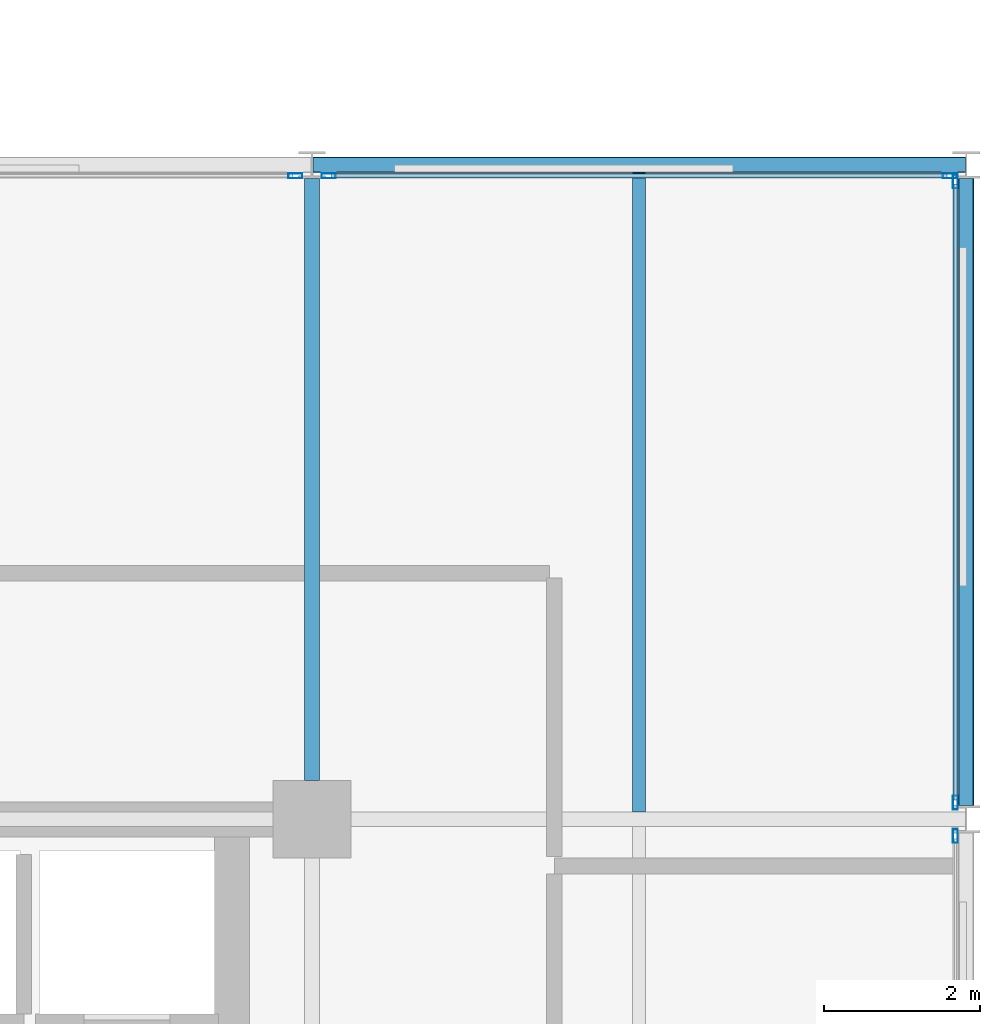
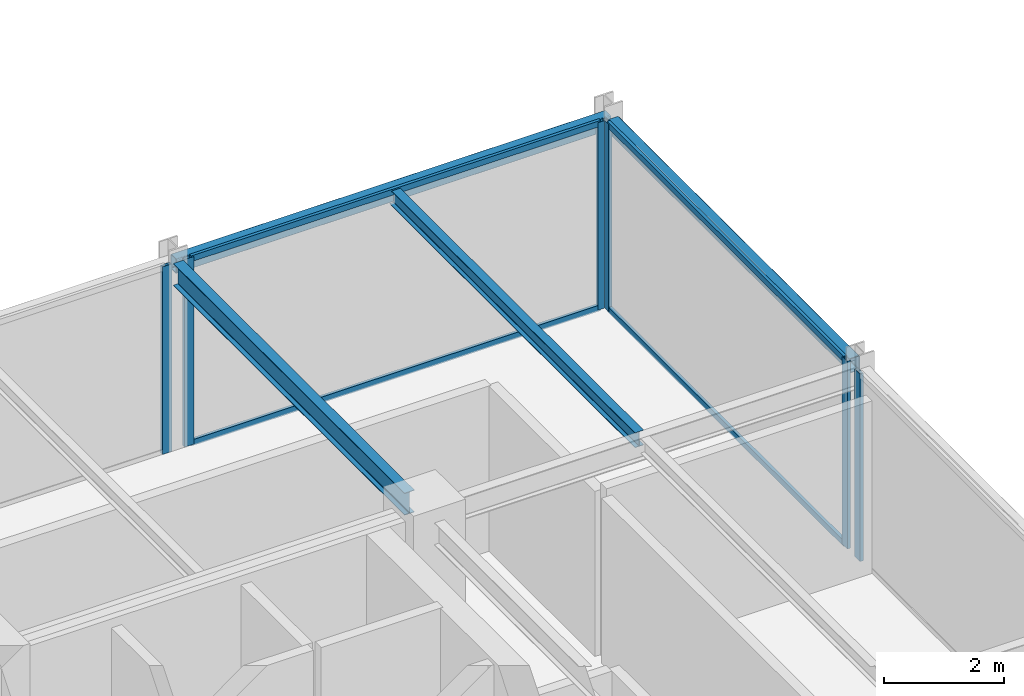
# One storey, part 15 of 25: 10 members, 4 beams, 4 elements without a shape of their own.
"""IFC4 building model written with IfcOpenShell, lengths in metres."""

from ifc_helpers import new_model, si_unit, direction, frame, origin, origin_2d, place, context, subcontext, project, spatial, hollow_rectangle, i_section, extrude, material, layer, layer_set, material_profile, profile_set, type_object, element, aggregate, save


model = new_model("IFC4")

# Units and contexts
model_context = context("Model", 3, precision=1e-05, world=origin(), true_north=direction((0.0, 1.0)))
body_context = subcontext(model_context, "Body", "Model", "MODEL_VIEW")
ifc_project = project(units=[si_unit("LENGTHUNIT", "METRE"), si_unit("AREAUNIT", "SQUARE_METRE"), si_unit("VOLUMEUNIT", "CUBIC_METRE"), si_unit("PLANEANGLEUNIT", "RADIAN"), si_unit("MASSUNIT", "GRAM", prefix="KILO")], contexts=[model_context])

# Site, building, storey
site_placement = place(None, origin())
site = spatial("IfcSite", under=ifc_project, at=site_placement, CompositionType="ELEMENT")
building_placement = place(site_placement, origin())
building = spatial("IfcBuilding", under=site, at=building_placement, Name="Nerrivon Quay Data Exchange", CompositionType="ELEMENT")
storey_placement = place(building_placement, frame((0.0, 0.0, 232.89990234375)))
storey = spatial("IfcBuildingStorey", under=building, at=storey_placement, Name="L55", CompositionType="ELEMENT", Elevation=232.89990234375)

# Beams
ifc_material_1 = material(Name="Steel Grade 350", Category="steel")
ifc_material_profile_1 = material_profile(ifc_material_1, i_section(OverallWidth=0.18994140625, OverallDepth=0.4541015625, WebThickness=0.008544921875, FlangeThickness=0.0126953125, FilletRadius=0.011474609375, at=origin_2d()), Name="460UB67.1")
ifc_profile_set_1 = profile_set([ifc_material_profile_1], Name="Steel Grade 350")
beam_type_1 = type_object("IfcBeamType", Name="BM-G6-460UB67", PredefinedType="BEAM", material=ifc_profile_set_1)
beam_1_placement = place(storey_placement, frame((33.60009765625, 17.300048828125, 3.59814453125), z_axis=(0.0, 1.0, 0.0), x_axis=(-1.0, 0.0, 0.0)))
element("IfcBeam", 1, at=beam_1_placement, inside=storey, type_object=beam_type_1, Name="L55 NS Girder X=33.6 (16.8..25.2)", PredefinedType="BEAM", context=body_context, shape_type="SweptSolid", body=[
    extrude(i_section(OverallWidth=0.18994140625, OverallDepth=0.4541015625, WebThickness=0.008544921875, FlangeThickness=0.0126953125, FilletRadius=0.011474609375, at=origin_2d()), origin(), (0.0, 0.0, 1.0), 7.724853515625),
])
ifc_material_profile_2 = material_profile(ifc_material_1, i_section(OverallWidth=0.166015625, OverallDepth=0.306884765625, WebThickness=0.006591796875, FlangeThickness=0.01171875, FilletRadius=0.011474609375, at=origin_2d()), Name="310UB46.2")
ifc_profile_set_2 = profile_set([ifc_material_profile_2], Name="Steel Grade 350")
beam_type_2 = type_object("IfcBeamType", Name="BM-J5-310UB46", PredefinedType="JOIST", material=ifc_profile_set_2)
beam_2_placement = place(storey_placement, frame((37.800048828125, 16.8955078125, 3.671630859375), z_axis=(0.0, 1.0, 0.0), x_axis=(-1.0, 0.0, 0.0)))
element("IfcBeam", 2, at=beam_2_placement, inside=storey, type_object=beam_type_2, Name="L55 Secondary Joist X=37.8 (16.8..25.2)", PredefinedType="JOIST", context=body_context, shape_type="SweptSolid", body=[
    extrude(i_section(OverallWidth=0.166015625, OverallDepth=0.306884765625, WebThickness=0.006591796875, FlangeThickness=0.01171875, FilletRadius=0.011474609375, at=origin_2d()), origin(), (0.0, 0.0, 1.0), 8.20458984375),
])
ifc_material_2 = material(Name="Steel Grade C350L0 (350 MPa)", Category="steel")
ifc_material_profile_3 = material_profile(ifc_material_2, hollow_rectangle(XDim=0.199951171875, YDim=0.300048828125, WallThickness=0.012451171875, InnerFilletRadius=0.018798828125, OuterFilletRadius=0.03125, at=origin_2d()), Name="300x200x12.5RHS")
ifc_profile_set_3 = profile_set([ifc_material_profile_3], Name="Steel Grade C350L0 (350 MPa)")
beam_type_3 = type_object("IfcBeamType", Name="BM-SP3-300x200RHS", PredefinedType="SPANDREL", material=ifc_profile_set_3)
beam_3_placement = place(storey_placement, frame((33.610107421875, 25.199951171875, 3.675048828125), z_axis=(1.0, 0.0, 0.0), x_axis=(0.0, 1.0, 0.0)))
element("IfcBeam", 3, at=beam_3_placement, inside=storey, type_object=beam_type_3, Name="L55 EW Girder Y=25.2 (33.6..42.0)", PredefinedType="SPANDREL", context=body_context, shape_type="SweptSolid", body=[
    extrude(hollow_rectangle(XDim=0.199951171875, YDim=0.300048828125, WallThickness=0.012451171875, InnerFilletRadius=0.018798828125, OuterFilletRadius=0.03125, at=origin_2d()), origin(), (0.0, 0.0, 1.0), 8.3798828125),
])
beam_4_placement = place(storey_placement, frame((42.0, 16.97509765625, 3.675048828125), z_axis=(0.0, 1.0, 0.0), x_axis=(-1.0, 0.0, 0.0)))
element("IfcBeam", 4, at=beam_4_placement, inside=storey, type_object=beam_type_3, Name="L55 NS Girder X=42.0 (16.8..25.2)", PredefinedType="SPANDREL", context=body_context, shape_type="SweptSolid", body=[
    extrude(hollow_rectangle(XDim=0.199951171875, YDim=0.300048828125, WallThickness=0.012451171875, InnerFilletRadius=0.018798828125, OuterFilletRadius=0.03125, at=origin_2d()), origin(), (0.0, 0.0, 1.0), 8.0498046875),
])

# Curtain wall, member
ifc_material_3 = material(Name="Anodised aluminium 6063-T6", Category="aluminium")
ifc_layer = layer(ifc_material_3, 0.195068359375)
ifc_layer_set = layer_set([ifc_layer], Name="Anodised aluminium 6063-T6")
curtain_wall_type = type_object("IfcCurtainWallType", Name="CW-SYS-06", PredefinedType="NOTDEFINED", material=ifc_layer_set)
curtain_wall_1_placement = place(storey_placement, origin())
curtain_wall_1 = element("IfcCurtainWall", 5, at=curtain_wall_1_placement, inside=storey, type_object=curtain_wall_type, Name="L55 Unitised Curtain Wall 24", PredefinedType="NOTDEFINED")
ifc_material_profile_4 = material_profile(ifc_material_3, hollow_rectangle(XDim=0.06494140625, YDim=0.179931640625, WallThickness=0.00341796875, at=origin_2d()), Name="ALU-MULL-180x65")
ifc_profile_set_4 = profile_set([ifc_material_profile_4], Name="Anodised aluminium 6063-T6")
member_type_1 = type_object("IfcMemberType", Name="CWM-180x65", PredefinedType="MULLION", material=ifc_profile_set_4)
member_1_placement = place(storey_placement, frame((33.387451171875, 25.06005859375, 0.0), z_axis=(0.0, 0.0, 1.0), x_axis=(0.0, 1.0, 0.0)))
member_1 = element("IfcMember", 6, at=member_1_placement, type_object=member_type_1, Name="CW06 mullion 2", PredefinedType="MULLION", context=body_context, shape_type="SweptSolid", body=[
    extrude(hollow_rectangle(XDim=0.06494140625, YDim=0.179931640625, WallThickness=0.00341796875, at=origin_2d()), origin(), (0.0, 0.0, 1.0), 3.8251953125),
])
aggregate(curtain_wall_1, [member_1])

# Curtain wall, members
curtain_wall_2_placement = place(storey_placement, origin())
curtain_wall_2 = element("IfcCurtainWall", 7, at=curtain_wall_2_placement, inside=storey, type_object=curtain_wall_type, Name="L55 Unitised Curtain Wall 25", PredefinedType="NOTDEFINED")
member_2_placement = place(storey_placement, frame((33.8125, 25.06005859375, 0.0), z_axis=(0.0, 0.0, 1.0), x_axis=(0.0, 1.0, 0.0)))
member_2 = element("IfcMember", 8, at=member_2_placement, type_object=member_type_1, Name="CW06 mullion 1", PredefinedType="MULLION", context=body_context, shape_type="SweptSolid", body=[
    extrude(hollow_rectangle(XDim=0.06494140625, YDim=0.179931640625, WallThickness=0.00341796875, at=origin_2d()), origin(), (0.0, 0.0, 1.0), 3.8251953125),
])
member_3_placement = place(storey_placement, frame((41.78759765625, 25.06005859375, 0.0), z_axis=(0.0, 0.0, 1.0), x_axis=(0.0, 1.0, 0.0)))
member_3 = element("IfcMember", 9, at=member_3_placement, type_object=member_type_1, Name="CW06 mullion 2", PredefinedType="MULLION", context=body_context, shape_type="SweptSolid", body=[
    extrude(hollow_rectangle(XDim=0.06494140625, YDim=0.179931640625, WallThickness=0.00341796875, at=origin_2d()), origin(), (0.0, 0.0, 1.0), 3.8251953125),
])

curtain_wall_3_placement = place(storey_placement, origin())
curtain_wall_3 = element("IfcCurtainWall", 10, at=curtain_wall_3_placement, inside=storey, type_object=curtain_wall_type, Name="L55 Unitised Curtain Wall 26", PredefinedType="NOTDEFINED")
member_4_placement = place(storey_placement, frame((41.860107421875, 24.987548828125, 0.0), z_axis=(0.0, 0.0, 1.0), x_axis=(1.0, 0.0, 0.0)))
member_4 = element("IfcMember", 11, at=member_4_placement, type_object=member_type_1, Name="CW06 mullion 1", PredefinedType="MULLION", context=body_context, shape_type="SweptSolid", body=[
    extrude(hollow_rectangle(XDim=0.06494140625, YDim=0.179931640625, WallThickness=0.00341796875, at=origin_2d()), origin(), (0.0, 0.0, 1.0), 3.8251953125),
])
member_5_placement = place(storey_placement, frame((41.860107421875, 17.012451171875, 0.0), z_axis=(0.0, 0.0, 1.0), x_axis=(1.0, 0.0, 0.0)))
member_5 = element("IfcMember", 12, at=member_5_placement, type_object=member_type_1, Name="CW06 mullion 2", PredefinedType="MULLION", context=body_context, shape_type="SweptSolid", body=[
    extrude(hollow_rectangle(XDim=0.06494140625, YDim=0.179931640625, WallThickness=0.00341796875, at=origin_2d()), origin(), (0.0, 0.0, 1.0), 3.8251953125),
])

# Curtain wall, member
curtain_wall_4_placement = place(storey_placement, origin())
curtain_wall_4 = element("IfcCurtainWall", 13, at=curtain_wall_4_placement, inside=storey, type_object=curtain_wall_type, Name="L55 Unitised Curtain Wall 27", PredefinedType="NOTDEFINED")
member_6_placement = place(storey_placement, frame((41.860107421875, 16.58740234375, 0.0), z_axis=(0.0, 0.0, 1.0), x_axis=(1.0, 0.0, 0.0)))
member_6 = element("IfcMember", 14, at=member_6_placement, type_object=member_type_1, Name="CW06 mullion 1", PredefinedType="MULLION", context=body_context, shape_type="SweptSolid", body=[
    extrude(hollow_rectangle(XDim=0.06494140625, YDim=0.179931640625, WallThickness=0.00341796875, at=origin_2d()), origin(), (0.0, 0.0, 1.0), 3.8251953125),
])
aggregate(curtain_wall_4, [member_6])

# Member
ifc_material_profile_5 = material_profile(ifc_material_3, hollow_rectangle(XDim=0.06005859375, YDim=0.1201171875, WallThickness=0.003173828125, at=origin_2d()), Name="ALU-TRAN-120x60")
ifc_profile_set_5 = profile_set([ifc_material_profile_5], Name="Anodised aluminium 6063-T6")
member_type_2 = type_object("IfcMemberType", Name="CWT-120x60", PredefinedType="USERDEFINED", material=ifc_profile_set_5)
member_7_placement = place(storey_placement, frame((33.85009765625, 25.06005859375, 0.03271484375), z_axis=(1.0, 0.0, 0.0), x_axis=(0.0, 1.0, 0.0)))
member_7 = element("IfcMember", 15, at=member_7_placement, type_object=member_type_2, Name="CW06 transom 1.1", ObjectType="TRANSOM", PredefinedType="USERDEFINED", context=body_context, shape_type="SweptSolid", body=[
    extrude(hollow_rectangle(XDim=0.06005859375, YDim=0.1201171875, WallThickness=0.003173828125, at=origin_2d()), origin(), (0.0, 0.0, 1.0), 7.89990234375),
])

member_8_placement = place(storey_placement, frame((33.85009765625, 25.06005859375, 3.79248046875), z_axis=(1.0, 0.0, 0.0), x_axis=(0.0, 1.0, 0.0)))
member_8 = element("IfcMember", 16, at=member_8_placement, type_object=member_type_2, Name="CW06 transom 1.2", ObjectType="TRANSOM", PredefinedType="USERDEFINED", context=body_context, shape_type="SweptSolid", body=[
    extrude(hollow_rectangle(XDim=0.06005859375, YDim=0.1201171875, WallThickness=0.003173828125, at=origin_2d()), origin(), (0.0, 0.0, 1.0), 7.89990234375),
])

aggregate(curtain_wall_2, [member_2, member_3, member_7, member_8])

member_9_placement = place(storey_placement, frame((41.860107421875, 24.949951171875, 0.03271484375), z_axis=(0.0, -1.0, 0.0), x_axis=(1.0, 0.0, 0.0)))
member_9 = element("IfcMember", 17, at=member_9_placement, type_object=member_type_2, Name="CW06 transom 1.1", ObjectType="TRANSOM", PredefinedType="USERDEFINED", context=body_context, shape_type="SweptSolid", body=[
    extrude(hollow_rectangle(XDim=0.06005859375, YDim=0.1201171875, WallThickness=0.003173828125, at=origin_2d()), origin(), (0.0, 0.0, 1.0), 7.89990234375),
])

member_10_placement = place(storey_placement, frame((41.860107421875, 24.949951171875, 3.79248046875), z_axis=(0.0, -1.0, 0.0), x_axis=(1.0, 0.0, 0.0)))
member_10 = element("IfcMember", 18, at=member_10_placement, type_object=member_type_2, Name="CW06 transom 1.2", ObjectType="TRANSOM", PredefinedType="USERDEFINED", context=body_context, shape_type="SweptSolid", body=[
    extrude(hollow_rectangle(XDim=0.06005859375, YDim=0.1201171875, WallThickness=0.003173828125, at=origin_2d()), origin(), (0.0, 0.0, 1.0), 7.89990234375),
])

aggregate(curtain_wall_3, [member_4, member_5, member_9, member_10])

save(model, "model.ifc")
